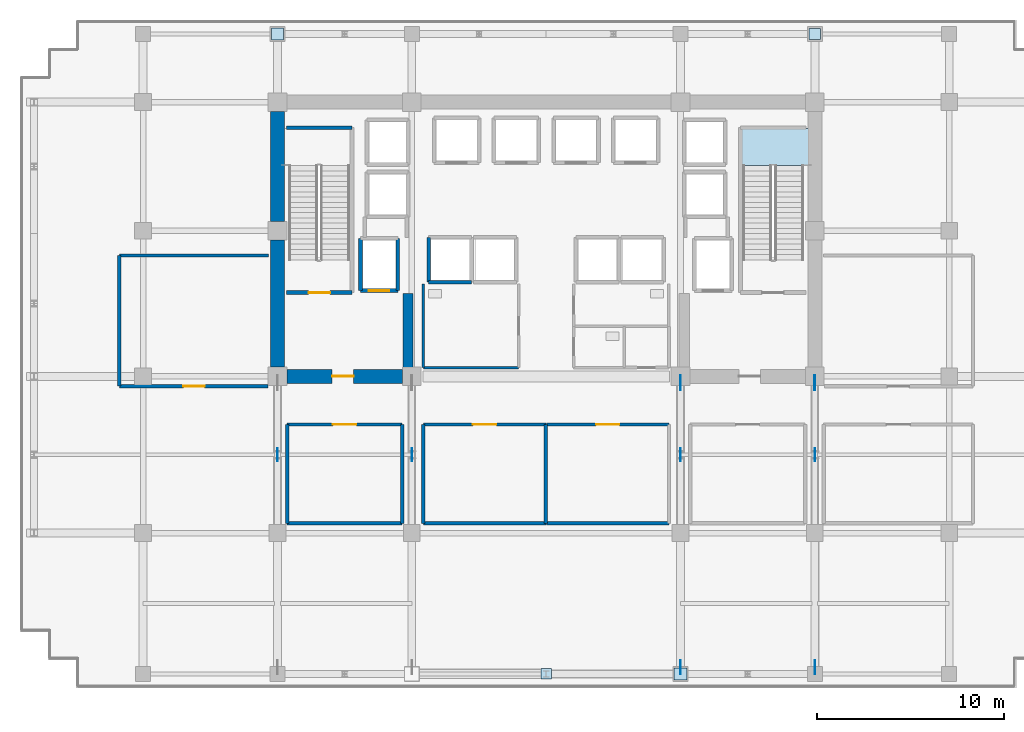
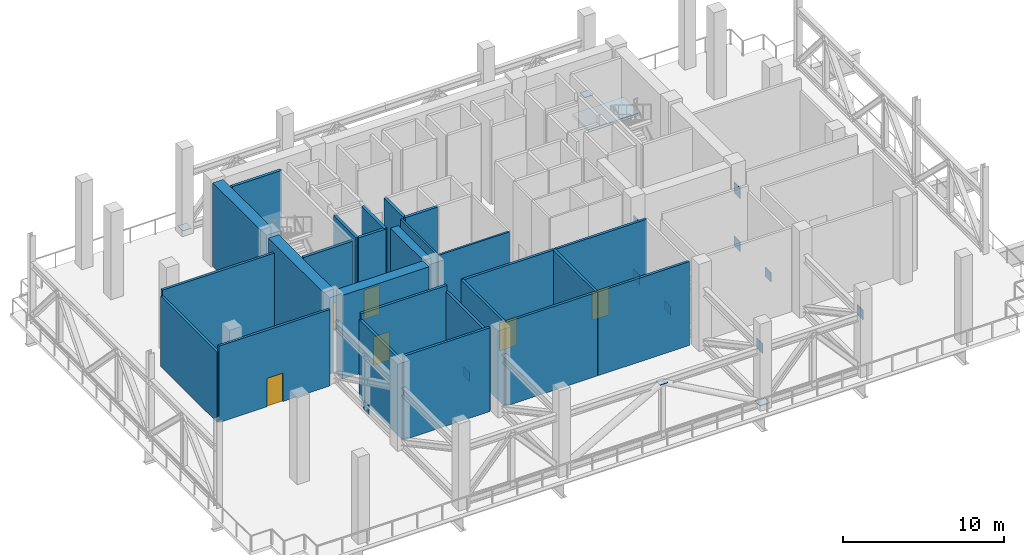
# One storey, part 7 of 15: 26 walls, 14 plates, 7 doors, 1 slab, 7 openings, 1 element without a shape of its own.
"""IFC4 building model written with IfcOpenShell, lengths in metres."""

from ifc_helpers import new_model, si_unit, direction, frame, frame_2d, origin, origin_2d, place, context, subcontext, project, spatial, polyline, rectangle, outline, extrude, source, transform, mapped, material, layer, layer_set, type_object, element, fill, aggregate, save


model = new_model("IFC4")

# Units and contexts
model_context = context("Model", 3, precision=1e-05, world=origin(), true_north=direction((0.0, 1.0)))
body_context = subcontext(model_context, "Body", "Model", "MODEL_VIEW")
ifc_project = project(units=[si_unit("LENGTHUNIT", "METRE"), si_unit("AREAUNIT", "SQUARE_METRE"), si_unit("VOLUMEUNIT", "CUBIC_METRE"), si_unit("PLANEANGLEUNIT", "RADIAN"), si_unit("MASSUNIT", "GRAM", prefix="KILO")], contexts=[model_context])

# Site, building, storey
site_placement = place(None, origin())
site = spatial("IfcSite", under=ifc_project, at=site_placement, CompositionType="ELEMENT")
building_placement = place(site_placement, origin())
building = spatial("IfcBuilding", under=site, at=building_placement, Name="Zarnakvel Exchange Tower", CompositionType="ELEMENT")
storey_placement = place(building_placement, frame((0.0, 0.0, 80.199951171875)))
storey = spatial("IfcBuildingStorey", under=building, at=storey_placement, Name="L22", CompositionType="ELEMENT", Elevation=80.199951171875)

# Stair, slab
ifc_material_1 = material(Name="Concrete C40/50", Category="concrete")
stair_type = type_object("IfcStairType", Name="STR-01", PredefinedType="HALF_TURN_STAIR", material=ifc_material_1)
stair_placement = place(storey_placement, origin())
stair = element("IfcStair", 1, at=stair_placement, inside=storey, type_object=stair_type, Name="L22 Protected Core Exit Stair ST-02", PredefinedType="HALF_TURN_STAIR")
ifc_layer_1 = layer(ifc_material_1, 0.199951171875)
ifc_layer_set_1 = layer_set([ifc_layer_1], Name="Concrete C40/50")
slab_type = type_object("IfcSlabType", Name="LDG-01", PredefinedType="LANDING", material=ifc_layer_set_1)
slab_placement = place(storey_placement, frame((0.0, 0.0, 3.10009765625)))
slab = element("IfcSlab", 2, at=slab_placement, type_object=slab_type, Name="ST-02 landing 1", PredefinedType="LANDING", context=body_context, shape_type="SweptSolid", body=[
    extrude(outline(polyline([(10.4599609375, 10.090087890625), (14.18994140625, 10.090087890625), (14.18994140625, 12.080078125), (10.4599609375, 12.080078125), (10.4599609375, 10.090087890625)])), origin(), (0.0, 0.0, 1.0), 0.199951171875),
])
aggregate(stair, [slab])

# Plates
ifc_material_2 = material(Name="Steel S460", Category="steel")
ifc_layer_2 = layer(ifc_material_2, 0.0380859375)
ifc_layer_set_2 = layer_set([ifc_layer_2], Name="Steel S460")
plate_type_1 = type_object("IfcPlateType", Name="ON1", PredefinedType="USERDEFINED", material=ifc_layer_set_2)
shared_shape_1 = source(origin(), body_context, "Body", "SweptSolid", [
    extrude(rectangle(XDim=0.0380859375, YDim=0.800048828125, at=origin_2d()), origin(), (0.0, 0.0, 1.0), 0.800048828125),
])
for number, where, z_axis, x_axis, name in (
    (3, (7.199951171875, -1.550048828125, 4.0), (0.0, 0.0, 1.0), (1.0, 0.0, 0.0), "L22 Outrigger Core Upper Gusset ON1 (8)"),
    (4, (14.39990234375, -1.550048828125, 4.0), (0.0, 0.0, 1.0), (1.0, 0.0, 0.0), "L22 Outrigger Core Upper Gusset ON1 (9)"),
):
    element("IfcPlate", number, at=place(storey_placement, frame(where, z_axis=z_axis, x_axis=x_axis)), inside=storey, type_object=plate_type_1, Name=name, ObjectType="GUSSET_PLATE", PredefinedType="USERDEFINED", context=body_context, shape_type="MappedRepresentation", body=[
        mapped(shared_shape_1, transform((0.0, 0.0, 0.0), x_axis=(1.0, 0.0, 0.0), y_axis=(0.0, 1.0, 0.0), z_axis=(0.0, 0.0, 1.0), scale=1.0)),
    ])
ifc_layer_3 = layer(ifc_material_2, 0.035888671875)
ifc_layer_set_3 = layer_set([ifc_layer_3], Name="Steel S460")
plate_type_2 = type_object("IfcPlateType", Name="ON2", PredefinedType="USERDEFINED", material=ifc_layer_set_3)
shared_shape_2 = source(origin(), body_context, "Body", "SweptSolid", [
    extrude(rectangle(XDim=0.035888671875, YDim=0.800048828125, at=origin_2d()), origin(), (0.0, 0.0, 1.0), 0.75),
])
for number, where, z_axis, x_axis, name in (
    (5, (7.199951171875, -1.550048828125, -0.02490234375), (0.0, 0.0, 1.0), (1.0, 0.0, 0.0), "L22 Outrigger Core Lower Gusset ON2 (8)"),
    (6, (14.39990234375, -1.550048828125, -0.02490234375), (0.0, 0.0, 1.0), (1.0, 0.0, 0.0), "L22 Outrigger Core Lower Gusset ON2 (9)"),
):
    element("IfcPlate", number, at=place(storey_placement, frame(where, z_axis=z_axis, x_axis=x_axis)), inside=storey, type_object=plate_type_2, Name=name, ObjectType="GUSSET_PLATE", PredefinedType="USERDEFINED", context=body_context, shape_type="MappedRepresentation", body=[
        mapped(shared_shape_2, transform((0.0, 0.0, 0.0), x_axis=(1.0, 0.0, 0.0), y_axis=(0.0, 1.0, 0.0), z_axis=(0.0, 0.0, 1.0), scale=1.0)),
    ])
ifc_layer_4 = layer(ifc_material_2, 0.034912109375)
ifc_layer_set_4 = layer_set([ifc_layer_4], Name="Steel S460")
plate_type_3 = type_object("IfcPlateType", Name="ON3", PredefinedType="USERDEFINED", material=ifc_layer_set_4)
shared_shape_3 = source(origin(), body_context, "Body", "SweptSolid", [
    extrude(rectangle(XDim=0.034912109375, YDim=0.75, at=origin_2d()), origin(), (0.0, 0.0, 1.0), 0.75),
])
for number, where, z_axis, x_axis, name in (
    (7, (7.199951171875, -16.800048828125, 4.025146484375), (0.0, 0.0, 1.0), (1.0, 0.0, 0.0), "L22 Outrigger Perimeter Gusset ON3 (8)"),
    (8, (14.39990234375, -16.800048828125, 4.025146484375), (0.0, 0.0, 1.0), (1.0, 0.0, 0.0), "L22 Outrigger Perimeter Gusset ON3 (9)"),
):
    element("IfcPlate", number, at=place(storey_placement, frame(where, z_axis=z_axis, x_axis=x_axis)), inside=storey, type_object=plate_type_3, Name=name, ObjectType="GUSSET_PLATE", PredefinedType="USERDEFINED", context=body_context, shape_type="MappedRepresentation", body=[
        mapped(shared_shape_3, transform((0.0, 0.0, 0.0), x_axis=(1.0, 0.0, 0.0), y_axis=(0.0, 1.0, 0.0), z_axis=(0.0, 0.0, 1.0), scale=1.0)),
    ])
ifc_layer_5 = layer(ifc_material_2, 0.031982421875)
ifc_layer_set_5 = layer_set([ifc_layer_5], Name="Steel S460")
plate_type_4 = type_object("IfcPlateType", Name="ON4", PredefinedType="USERDEFINED", material=ifc_layer_set_5)
shared_shape_4 = source(origin(), body_context, "Body", "SweptSolid", [
    extrude(rectangle(XDim=0.031982421875, YDim=0.699951171875, at=origin_2d()), origin(), (0.0, 0.0, 1.0), 0.699951171875),
])
for number, where, z_axis, x_axis, name in (
    (9, (-14.39990234375, -5.39990234375, 0.0), (0.0, 0.0, 1.0), (1.0, 0.0, 0.0), "L22 Outrigger Web Splice Gusset ON4 (4)"),
    (10, (-7.199951171875, -5.39990234375, 0.0), (0.0, 0.0, 1.0), (1.0, 0.0, 0.0), "L22 Outrigger Web Splice Gusset ON4 (5)"),
    (11, (7.199951171875, -5.39990234375, 0.0), (0.0, 0.0, 1.0), (1.0, 0.0, 0.0), "L22 Outrigger Web Splice Gusset ON4 (8)"),
    (12, (14.39990234375, -5.39990234375, 0.0), (0.0, 0.0, 1.0), (1.0, 0.0, 0.0), "L22 Outrigger Web Splice Gusset ON4 (9)"),
):
    element("IfcPlate", number, at=place(storey_placement, frame(where, z_axis=z_axis, x_axis=x_axis)), inside=storey, type_object=plate_type_4, Name=name, ObjectType="GUSSET_PLATE", PredefinedType="USERDEFINED", context=body_context, shape_type="MappedRepresentation", body=[
        mapped(shared_shape_4, transform((0.0, 0.0, 0.0), x_axis=(1.0, 0.0, 0.0), y_axis=(0.0, 1.0, 0.0), z_axis=(0.0, 0.0, 1.0), scale=1.0)),
    ])
ifc_material_3 = material(Name="Steel S355", Category="steel")
ifc_layer_6 = layer(ifc_material_3, 0.028076171875)
ifc_layer_set_6 = layer_set([ifc_layer_6], Name="Steel S355")
plate_type_5 = type_object("IfcPlateType", Name="BN3", PredefinedType="USERDEFINED", material=ifc_layer_set_6)
shared_shape_5 = source(origin(), body_context, "Body", "SweptSolid", [
    extrude(rectangle(XDim=0.639892578125, YDim=0.639892578125, at=origin_2d()), origin(), (0.0, 0.0, 1.0), 0.028076171875),
])
plate_1_placement = place(storey_placement, frame((-14.39990234375, 17.14990234375, 0.3359375), z_axis=(0.0, 0.0, 1.0), x_axis=(1.0, 0.0, 0.0)))
element("IfcPlate", 13, at=plate_1_placement, inside=storey, type_object=plate_type_5, Name="L22 Truss Node Gusset BN3", ObjectType="GUSSET_PLATE", PredefinedType="USERDEFINED", context=body_context, shape_type="MappedRepresentation", body=[
    mapped(shared_shape_5, transform((0.0, 0.0, 0.0), x_axis=(1.0, 0.0, 0.0), y_axis=(0.0, 1.0, 0.0), z_axis=(0.0, 0.0, 1.0), scale=1.0)),
])
ifc_layer_7 = layer(ifc_material_3, 0.02587890625)
ifc_layer_set_7 = layer_set([ifc_layer_7], Name="Steel S355")
plate_type_6 = type_object("IfcPlateType", Name="BN4", PredefinedType="USERDEFINED", material=ifc_layer_set_7)
shared_shape_6 = source(origin(), body_context, "Body", "SweptSolid", [
    extrude(rectangle(XDim=0.60009765625, YDim=0.60009765625, at=origin_2d()), origin(), (0.0, 0.0, 1.0), 0.02587890625),
])
plate_2_placement = place(storey_placement, frame((14.39990234375, 17.14990234375, 0.337158203125), z_axis=(0.0, 0.0, 1.0), x_axis=(1.0, 0.0, 0.0)))
element("IfcPlate", 14, at=plate_2_placement, inside=storey, type_object=plate_type_6, Name="L22 Truss Node Gusset BN4", ObjectType="GUSSET_PLATE", PredefinedType="USERDEFINED", context=body_context, shape_type="MappedRepresentation", body=[
    mapped(shared_shape_6, transform((0.0, 0.0, 0.0), x_axis=(1.0, 0.0, 0.0), y_axis=(0.0, 1.0, 0.0), z_axis=(0.0, 0.0, 1.0), scale=1.0)),
])
ifc_layer_8 = layer(ifc_material_3, 0.030029296875)
ifc_layer_set_8 = layer_set([ifc_layer_8], Name="Steel S355")
plate_type_7 = type_object("IfcPlateType", Name="VN2", PredefinedType="USERDEFINED", material=ifc_layer_set_8)
shared_shape_7 = source(origin(), body_context, "Body", "SweptSolid", [
    extrude(rectangle(XDim=0.699951171875, YDim=0.64990234375, at=origin_2d()), origin(), (0.0, 0.0, 1.0), 0.030029296875),
])
plate_3_placement = place(storey_placement, frame((7.199951171875, -17.14990234375, 0.3349609375), z_axis=(0.0, 0.0, 1.0), x_axis=(1.0, 0.0, 0.0)))
element("IfcPlate", 15, at=plate_3_placement, inside=storey, type_object=plate_type_7, Name="L22 Truss Node Gusset VN2", ObjectType="GUSSET_PLATE", PredefinedType="USERDEFINED", context=body_context, shape_type="MappedRepresentation", body=[
    mapped(shared_shape_7, transform((0.0, 0.0, 0.0), x_axis=(1.0, 0.0, 0.0), y_axis=(0.0, 1.0, 0.0), z_axis=(0.0, 0.0, 1.0), scale=1.0)),
])
ifc_layer_9 = layer(ifc_material_3, 0.031982421875)
ifc_layer_set_9 = layer_set([ifc_layer_9], Name="Steel S355")
plate_type_8 = type_object("IfcPlateType", Name="BP-01", PredefinedType="USERDEFINED", material=ifc_layer_set_9)
shared_shape_8 = source(origin(), body_context, "Body", "SweptSolid", [
    extrude(rectangle(XDim=0.56005859375, YDim=0.56005859375, at=origin_2d()), origin(), (0.0, 0.0, 1.0), 0.031982421875),
])
plate_4_placement = place(storey_placement, frame((0.0, -17.14990234375, 4.38427734375), z_axis=(0.0, 0.0, 1.0), x_axis=(1.0, 0.0, 0.0)))
element("IfcPlate", 16, at=plate_4_placement, inside=storey, type_object=plate_type_8, Name="L22 Tube End Cap Plate 1B", ObjectType="BASE_PLATE", PredefinedType="USERDEFINED", context=body_context, shape_type="MappedRepresentation", body=[
    mapped(shared_shape_8, transform((0.0, 0.0, 0.0), x_axis=(1.0, 0.0, 0.0), y_axis=(0.0, 1.0, 0.0), z_axis=(0.0, 0.0, 1.0), scale=1.0)),
])

# Walls
ifc_material_4 = material(Name="Concrete C60/75", Category="concrete")
ifc_layer_10 = layer(ifc_material_4, 0.75)
ifc_layer_set_10 = layer_set([ifc_layer_10], Name="Concrete C60/75")
wall_type_1 = type_object("IfcWallType", Name="CW-C3", PredefinedType="SHEAR", material=ifc_layer_set_10)
wall_1_placement = place(storey_placement, frame((-14.39990234375, -0.699951171875, 0.0), z_axis=(0.0, 0.0, 1.0), x_axis=(0.0, 1.0, 0.0)))
element("IfcWall", 17, at=wall_1_placement, inside=storey, type_object=wall_type_1, Name="L22 Rear Core Shear Wall W1 (CW-C3)", PredefinedType="SHEAR", context=body_context, shape_type="SweptSolid", body=[
    extrude(rectangle(XDim=6.800048828125, YDim=0.75, at=frame_2d((3.39990234375, 0.0))), origin(), (0.0, 0.0, 1.0), 6.35009765625),
])
wall_2_placement = place(storey_placement, frame((-14.39990234375, 7.10009765625, 0.0), z_axis=(0.0, 0.0, 1.0), x_axis=(0.0, 1.0, 0.0)))
element("IfcWall", 18, at=wall_2_placement, inside=storey, type_object=wall_type_1, Name="L22 Rear Core Shear Wall W2 (CW-C3)", PredefinedType="SHEAR", context=body_context, shape_type="SweptSolid", body=[
    extrude(rectangle(XDim=5.89990234375, YDim=0.75, at=frame_2d((2.949951171875, 0.0))), origin(), (0.0, 0.0, 1.0), 6.35009765625),
])

# Wall, opening, door
wall_3_placement = place(storey_placement, frame((-7.699951171875, -1.199951171875, 0.0), z_axis=(0.0, 0.0, 1.0), x_axis=(-1.0, 0.0, 0.0)))
wall_3 = element("IfcWall", 19, at=wall_3_placement, inside=storey, type_object=wall_type_1, Name="L22 Rear Core Shear Wall SW (CW-C3)", PredefinedType="SHEAR", context=body_context, shape_type="SweptSolid", body=[
    extrude(rectangle(XDim=6.199951171875, YDim=0.75, at=frame_2d((3.10009765625, 0.0))), origin(), (0.0, 0.0, 1.0), 6.35009765625),
])
opening_1_placement = place(wall_3_placement, frame((2.625, 0.0, 0.0)))
opening_1 = element("IfcOpeningElement", 20, at=opening_1_placement, cuts=wall_3, Name="Opening D-L22-03", PredefinedType="OPENING", context=body_context, shape_type="SweptSolid", body=[
    extrude(rectangle(XDim=1.14990234375, YDim=2.14990234375, at=frame_2d((0.574951171875, 1.074951171875))), frame((0.0, 0.385009765625, 0.0), z_axis=(0.0, -1.0, 0.0), x_axis=(1.0, 0.0, 0.0)), (0.0, 0.0, 1.0), 0.77001953125),
])
ifc_material_5 = material(Name="Painted Galvanised Steel S355", Category="steel")
door_type_1 = type_object("IfcDoorType", Name="DT-04", OperationType="NOTDEFINED", PredefinedType="DOOR", material=ifc_material_5)
shared_shape_9 = source(origin(), body_context, "Body", "SweptSolid", [
    extrude(rectangle(XDim=1.14990234375, YDim=2.14990234375, at=frame_2d((0.574951171875, 1.074951171875))), frame((0.0, 0.02490234375, 0.0), z_axis=(0.0, -1.0, 0.0), x_axis=(1.0, 0.0, 0.0)), (0.0, 0.0, 1.0), 0.050048828125),
])
door_1_placement = place(opening_1_placement, origin())
door_1 = element("IfcDoor", 21, at=door_1_placement, inside=storey, type_object=door_type_1, Name="L22 Firefighting Lobby West Door D-L22-03", OperationType="SINGLE_SWING_LEFT", OverallHeight=2.14990234375, OverallWidth=1.14990234375, PredefinedType="DOOR", context=body_context, shape_type="MappedRepresentation", body=[
    mapped(shared_shape_9, transform((0.0, 0.0, 0.0), x_axis=(1.0, 0.0, 0.0), y_axis=(0.0, 1.0, 0.0), z_axis=(0.0, 0.0, 1.0), scale=1.0)),
])
fill(opening_1, door_1)

# Wall
ifc_layer_11 = layer(ifc_material_4, 0.550048828125)
ifc_layer_set_11 = layer_set([ifc_layer_11], Name="Concrete C60/75")
wall_type_2 = type_object("IfcWallType", Name="CW-C4", PredefinedType="SHEAR", material=ifc_layer_set_11)
wall_4_placement = place(storey_placement, frame((-7.39990234375, -0.824951171875, 0.0), z_axis=(0.0, 0.0, 1.0), x_axis=(0.0, 1.0, 0.0)))
element("IfcWall", 22, at=wall_4_placement, inside=storey, type_object=wall_type_2, Name="L22 Rear Core Shear Wall IW (CW-C4)", PredefinedType="SHEAR", context=body_context, shape_type="SweptSolid", body=[
    extrude(rectangle(XDim=4.074951171875, YDim=0.550048828125, at=frame_2d((2.03759765625, 0.0))), origin(), (0.0, 0.0, 1.0), 6.35009765625),
])

# Wall, opening, door
ifc_material_6 = material(Name="Fire-Rated Gypsum Stud Partition", Category="gypsum")
ifc_layer_12 = layer(ifc_material_6, 0.179931640625)
ifc_layer_set_12 = layer_set([ifc_layer_12], Name="Fire-Rated Gypsum Stud Partition")
wall_type_3 = type_object("IfcWallType", Name="PT-02", PredefinedType="PARTITIONING", material=ifc_layer_set_12)
wall_5_placement = place(storey_placement, frame((-14.919921875, -1.719970703125, 0.0), z_axis=(0.0, 0.0, 1.0), x_axis=(-1.0, 0.0, 0.0)))
wall_5 = element("IfcWall", 23, at=wall_5_placement, inside=storey, type_object=wall_type_3, Name="L22 Partition Wall PWALL-L22-022 (PT-02)", PredefinedType="PARTITIONING", context=body_context, shape_type="SweptSolid", body=[
    extrude(rectangle(XDim=7.9599609375, YDim=0.179931640625, at=frame_2d((3.97998046875, 0.0))), origin(), (0.0, 0.0, 1.0), 5.7900390625),
])
opening_2_placement = place(wall_5_placement, frame((3.3798828125, 0.0, 0.0)))
opening_2 = element("IfcOpeningElement", 24, at=opening_2_placement, cuts=wall_5, Name="Opening D-L22-09", PredefinedType="OPENING", context=body_context, shape_type="SweptSolid", body=[
    extrude(rectangle(XDim=1.14990234375, YDim=2.14990234375, at=frame_2d((0.574951171875, 1.074951171875))), frame((0.0, 0.099853515625, 0.0), z_axis=(0.0, -1.0, 0.0), x_axis=(1.0, 0.0, 0.0)), (0.0, 0.0, 1.0), 0.199951171875),
])
door_2_placement = place(opening_2_placement, origin())
door_2 = element("IfcDoor", 25, at=door_2_placement, inside=storey, type_object=door_type_1, Name="L22 L22 Protected Refuge Area West Door D-L22-09", OperationType="SINGLE_SWING_LEFT", OverallHeight=2.14990234375, OverallWidth=1.14990234375, PredefinedType="DOOR", context=body_context, shape_type="MappedRepresentation", body=[
    mapped(shared_shape_9, transform((0.0, 0.0, 0.0), x_axis=(1.0, 0.0, 0.0), y_axis=(0.0, 1.0, 0.0), z_axis=(0.0, 0.0, 1.0), scale=1.0)),
])
fill(opening_2, door_2)

# Walls
wall_6_placement = place(storey_placement, frame((-22.8798828125, 5.280029296875, 0.0), z_axis=(0.0, 0.0, 1.0), x_axis=(1.0, 0.0, 0.0)))
element("IfcWall", 26, at=wall_6_placement, inside=storey, type_object=wall_type_3, Name="L22 Partition Wall PWALL-L22-023 (PT-02)", PredefinedType="PARTITIONING", context=body_context, shape_type="SweptSolid", body=[
    extrude(rectangle(XDim=8.009765625, YDim=0.179931640625, at=frame_2d((4.0048828125, 0.0))), origin(), (0.0, 0.0, 1.0), 5.7900390625),
])
wall_7_placement = place(storey_placement, frame((-22.8798828125, -1.719970703125, 0.0), z_axis=(0.0, 0.0, 1.0), x_axis=(0.0, 1.0, 0.0)))
element("IfcWall", 27, at=wall_7_placement, inside=storey, type_object=wall_type_3, Name="L22 Partition Wall PWALL-L22-024 (PT-02)", PredefinedType="PARTITIONING", context=body_context, shape_type="SweptSolid", body=[
    extrude(rectangle(XDim=7.0, YDim=0.179931640625, at=frame_2d((3.5, 0.0))), origin(), (0.0, 0.0, 1.0), 5.33203125),
])
wall_8_placement = place(storey_placement, frame((-0.02001953125, -9.080078125, 0.0), z_axis=(0.0, 0.0, 1.0), x_axis=(-1.0, 0.0, 0.0)))
element("IfcWall", 28, at=wall_8_placement, inside=storey, type_object=wall_type_3, Name="L22 Partition Wall PWALL-L22-028 (PT-02)", PredefinedType="PARTITIONING", context=body_context, shape_type="SweptSolid", body=[
    extrude(rectangle(XDim=6.56005859375, YDim=0.179931640625, at=frame_2d((3.280029296875, 0.0))), origin(), (0.0, 0.0, 1.0), 6.35009765625),
])

# Wall, opening, door
wall_9_placement = place(storey_placement, frame((-6.580078125, -3.780029296875, 0.0), z_axis=(0.0, 0.0, 1.0), x_axis=(1.0, 0.0, 0.0)))
wall_9 = element("IfcWall", 29, at=wall_9_placement, inside=storey, type_object=wall_type_3, Name="L22 Partition Wall PWALL-L22-029 (PT-02)", PredefinedType="PARTITIONING", context=body_context, shape_type="SweptSolid", body=[
    extrude(rectangle(XDim=6.56005859375, YDim=0.179931640625, at=frame_2d((3.280029296875, 0.0))), origin(), (0.0, 0.0, 1.0), 6.35009765625),
])
opening_3_placement = place(wall_9_placement, frame((2.655029296875, 0.0, 0.0)))
opening_3 = element("IfcOpeningElement", 30, at=opening_3_placement, cuts=wall_9, Name="Opening D-L22-11", PredefinedType="OPENING", context=body_context, shape_type="SweptSolid", body=[
    extrude(rectangle(XDim=1.25, YDim=2.14990234375, at=frame_2d((0.625, 1.074951171875))), frame((0.0, 0.099853515625, 0.0), z_axis=(0.0, -1.0, 0.0), x_axis=(1.0, 0.0, 0.0)), (0.0, 0.0, 1.0), 0.199951171875),
])
door_type_2 = type_object("IfcDoorType", Name="DT-06", OperationType="NOTDEFINED", PredefinedType="DOOR", material=ifc_material_5)
shared_shape_10 = source(origin(), body_context, "Body", "SweptSolid", [
    extrude(rectangle(XDim=1.25, YDim=2.14990234375, at=frame_2d((0.625, 1.074951171875))), frame((0.0, 0.02490234375, 0.0), z_axis=(0.0, -1.0, 0.0), x_axis=(1.0, 0.0, 0.0)), (0.0, 0.0, 1.0), 0.050048828125),
])
door_3_placement = place(opening_3_placement, origin())
door_3 = element("IfcDoor", 31, at=door_3_placement, inside=storey, type_object=door_type_2, Name="L22 L22 Chiller Heat-Exchanger Plant Room Door D-L22-11", OperationType="SINGLE_SWING_LEFT", OverallHeight=2.14990234375, OverallWidth=1.25, PredefinedType="DOOR", context=body_context, shape_type="MappedRepresentation", body=[
    mapped(shared_shape_10, transform((0.0, 0.0, 0.0), x_axis=(1.0, 0.0, 0.0), y_axis=(0.0, 1.0, 0.0), z_axis=(0.0, 0.0, 1.0), scale=1.0)),
])
fill(opening_3, door_3)

# Walls
for number, where, z_axis, x_axis, name in (
    (32, (-6.580078125, -9.080078125, 0.0), (0.0, 0.0, 1.0), (0.0, 1.0, 0.0), "L22 Partition Wall PWALL-L22-030 (PT-02)"),
    (33, (-0.02001953125, -3.780029296875, 0.0), (0.0, 0.0, 1.0), (0.0, -1.0, 0.0), "L22 Partition Wall PWALL-L22-031 (PT-02)"),
):
    element("IfcWall", number, at=place(storey_placement, frame(where, z_axis=z_axis, x_axis=x_axis)), inside=storey, type_object=wall_type_3, Name=name, PredefinedType="PARTITIONING", context=body_context, shape_type="SweptSolid", body=[
        extrude(rectangle(XDim=5.300048828125, YDim=0.179931640625, at=frame_2d((2.64990234375, 0.0))), origin(), (0.0, 0.0, 1.0), 6.35009765625),
    ])
wall_10_placement = place(storey_placement, frame((6.580078125, -9.080078125, 0.0), z_axis=(0.0, 0.0, 1.0), x_axis=(-1.0, 0.0, 0.0)))
element("IfcWall", 34, at=wall_10_placement, inside=storey, type_object=wall_type_3, Name="L22 Partition Wall PWALL-L22-032 (PT-02)", PredefinedType="PARTITIONING", context=body_context, shape_type="SweptSolid", body=[
    extrude(rectangle(XDim=6.56005859375, YDim=0.179931640625, at=frame_2d((3.280029296875, 0.0))), origin(), (0.0, 0.0, 1.0), 6.35009765625),
])

# Wall, opening, door
wall_11_placement = place(storey_placement, frame((0.02001953125, -3.780029296875, 0.0), z_axis=(0.0, 0.0, 1.0), x_axis=(1.0, 0.0, 0.0)))
wall_11 = element("IfcWall", 35, at=wall_11_placement, inside=storey, type_object=wall_type_3, Name="L22 Partition Wall PWALL-L22-033 (PT-02)", PredefinedType="PARTITIONING", context=body_context, shape_type="SweptSolid", body=[
    extrude(rectangle(XDim=6.56005859375, YDim=0.179931640625, at=frame_2d((3.280029296875, 0.0))), origin(), (0.0, 0.0, 1.0), 6.35009765625),
])
opening_4_placement = place(wall_11_placement, frame((2.655029296875, 0.0, 0.0)))
opening_4 = element("IfcOpeningElement", 36, at=opening_4_placement, cuts=wall_11, Name="Opening D-L22-12", PredefinedType="OPENING", context=body_context, shape_type="SweptSolid", body=[
    extrude(rectangle(XDim=1.25, YDim=2.14990234375, at=frame_2d((0.625, 1.074951171875))), frame((0.0, 0.099853515625, 0.0), z_axis=(0.0, -1.0, 0.0), x_axis=(1.0, 0.0, 0.0)), (0.0, 0.0, 1.0), 0.199951171875),
])
door_4_placement = place(opening_4_placement, origin())
door_4 = element("IfcDoor", 37, at=door_4_placement, inside=storey, type_object=door_type_2, Name="L22 L22 AHU Supply Fan Plant Room Door D-L22-12", OperationType="SINGLE_SWING_RIGHT", OverallHeight=2.14990234375, OverallWidth=1.25, PredefinedType="DOOR", context=body_context, shape_type="MappedRepresentation", body=[
    mapped(shared_shape_10, transform((0.0, 0.0, 0.0), x_axis=(1.0, 0.0, 0.0), y_axis=(0.0, 1.0, 0.0), z_axis=(0.0, 0.0, 1.0), scale=1.0)),
])
fill(opening_4, door_4)

# Wall
wall_12_placement = place(storey_placement, frame((-7.719970703125, -9.080078125, 0.0), z_axis=(0.0, 0.0, 1.0), x_axis=(-1.0, 0.0, 0.0)))
element("IfcWall", 38, at=wall_12_placement, inside=storey, type_object=wall_type_3, Name="L22 Partition Wall PWALL-L22-035 (PT-02)", PredefinedType="PARTITIONING", context=body_context, shape_type="SweptSolid", body=[
    extrude(rectangle(XDim=6.159912109375, YDim=0.179931640625, at=frame_2d((3.080078125, 0.0))), origin(), (0.0, 0.0, 1.0), 6.35009765625),
])

# Wall, opening, door
wall_13_placement = place(storey_placement, frame((-13.8798828125, -3.780029296875, 0.0), z_axis=(0.0, 0.0, 1.0), x_axis=(1.0, 0.0, 0.0)))
wall_13 = element("IfcWall", 39, at=wall_13_placement, inside=storey, type_object=wall_type_3, Name="L22 Partition Wall PWALL-L22-036 (PT-02)", PredefinedType="PARTITIONING", context=body_context, shape_type="SweptSolid", body=[
    extrude(rectangle(XDim=6.159912109375, YDim=0.179931640625, at=frame_2d((3.080078125, 0.0))), origin(), (0.0, 0.0, 1.0), 6.35009765625),
])
opening_5_placement = place(wall_13_placement, frame((2.455078125, 0.0, 0.0)))
opening_5 = element("IfcOpeningElement", 40, at=opening_5_placement, cuts=wall_13, Name="Opening D-L22-13", PredefinedType="OPENING", context=body_context, shape_type="SweptSolid", body=[
    extrude(rectangle(XDim=1.25, YDim=2.14990234375, at=frame_2d((0.625, 1.074951171875))), frame((0.0, 0.099853515625, 0.0), z_axis=(0.0, -1.0, 0.0), x_axis=(1.0, 0.0, 0.0)), (0.0, 0.0, 1.0), 0.199951171875),
])
door_5_placement = place(opening_5_placement, origin())
door_5 = element("IfcDoor", 41, at=door_5_placement, inside=storey, type_object=door_type_2, Name="L22 L22 Fire Transfer Pump Plant Room Door D-L22-13", OperationType="SINGLE_SWING_LEFT", OverallHeight=2.14990234375, OverallWidth=1.25, PredefinedType="DOOR", context=body_context, shape_type="MappedRepresentation", body=[
    mapped(shared_shape_10, transform((0.0, 0.0, 0.0), x_axis=(1.0, 0.0, 0.0), y_axis=(0.0, 1.0, 0.0), z_axis=(0.0, 0.0, 1.0), scale=1.0)),
])
fill(opening_5, door_5)

# Walls
for number, where, z_axis, x_axis, name in (
    (42, (-13.8798828125, -9.080078125, 0.0), (0.0, 0.0, 1.0), (0.0, 1.0, 0.0), "L22 Partition Wall PWALL-L22-037 (PT-02)"),
    (43, (-7.719970703125, -3.780029296875, 0.0), (0.0, 0.0, 1.0), (0.0, -1.0, 0.0), "L22 Partition Wall PWALL-L22-038 (PT-02)"),
):
    element("IfcWall", number, at=place(storey_placement, frame(where, z_axis=z_axis, x_axis=x_axis)), inside=storey, type_object=wall_type_3, Name=name, PredefinedType="PARTITIONING", context=body_context, shape_type="SweptSolid", body=[
        extrude(rectangle(XDim=5.300048828125, YDim=0.179931640625, at=frame_2d((2.64990234375, 0.0))), origin(), (0.0, 0.0, 1.0), 5.89013671875),
    ])
ifc_material_7 = material(Name="Moisture-Resistant Tile-Faced Partition", Category="gypsum")
ifc_layer_13 = layer(ifc_material_7, 0.135009765625)
ifc_layer_set_13 = layer_set([ifc_layer_13], Name="Moisture-Resistant Tile-Faced Partition")
wall_type_4 = type_object("IfcWallType", Name="PT-03", PredefinedType="PARTITIONING", material=ifc_layer_set_13)
wall_14_placement = place(storey_placement, frame((-1.469970703125, -0.72998046875, 0.0), z_axis=(0.0, 0.0, 1.0), x_axis=(-1.0, 0.0, 0.0)))
element("IfcWall", 44, at=wall_14_placement, inside=storey, type_object=wall_type_4, Name="L22 Partition Wall PWALL-L22-011 (PT-03)", PredefinedType="PARTITIONING", context=body_context, shape_type="SweptSolid", body=[
    extrude(rectangle(XDim=5.110107421875, YDim=0.135009765625, at=frame_2d((2.55517578125, 0.0))), origin(), (0.0, 0.0, 1.0), 6.35009765625),
])
wall_15_placement = place(storey_placement, frame((-6.580078125, -0.72998046875, 0.0), z_axis=(0.0, 0.0, 1.0), x_axis=(0.0, 1.0, 0.0)))
element("IfcWall", 45, at=wall_15_placement, inside=storey, type_object=wall_type_4, Name="L22 Partition Wall PWALL-L22-012 (PT-03)", PredefinedType="PARTITIONING", context=body_context, shape_type="SweptSolid", body=[
    extrude(rectangle(XDim=4.489990234375, YDim=0.135009765625, at=frame_2d((2.2451171875, 0.0))), origin(), (0.0, 0.0, 1.0), 6.35009765625),
])

# Wall, opening, door
ifc_layer_14 = layer(ifc_material_1, 0.199951171875)
ifc_layer_set_14 = layer_set([ifc_layer_14], Name="Concrete C40/50")
wall_type_5 = type_object("IfcWallType", Name="SW-01", PredefinedType="SOLIDWALL", material=ifc_layer_set_14)
wall_16_placement = place(storey_placement, frame((-7.949951171875, 3.39990234375, 0.0), z_axis=(0.0, 0.0, 1.0), x_axis=(-1.0, 0.0, 0.0)))
wall_16 = element("IfcWall", 46, at=wall_16_placement, inside=storey, type_object=wall_type_5, Name="L22 FL-01 Hoistway Wall South", PredefinedType="SOLIDWALL", context=body_context, shape_type="SweptSolid", body=[
    extrude(rectangle(XDim=2.0, YDim=0.199951171875, at=frame_2d((1.0, 0.0))), origin(), (0.0, 0.0, 1.0), 6.35009765625),
])
opening_6_placement = place(wall_16_placement, frame((0.449951171875, 0.0, 0.0)))
opening_6 = element("IfcOpeningElement", 47, at=opening_6_placement, cuts=wall_16, Name="Opening LD-FL-01-L22", PredefinedType="OPENING", context=body_context, shape_type="SweptSolid", body=[
    extrude(rectangle(XDim=1.10009765625, YDim=2.199951171875, at=frame_2d((0.550048828125, 1.10009765625))), frame((0.0, 0.10986328125, 0.0), z_axis=(0.0, -1.0, 0.0), x_axis=(1.0, 0.0, 0.0)), (0.0, 0.0, 1.0), 0.219970703125),
])
ifc_material_8 = material(Name="Brushed Stainless Steel", Category="steel")
door_type_3 = type_object("IfcDoorType", Name="LDT-01", OperationType="NOTDEFINED", PredefinedType="DOOR", material=ifc_material_8)
shared_shape_11 = source(origin(), body_context, "Body", "SweptSolid", [
    extrude(rectangle(XDim=1.10009765625, YDim=2.199951171875, at=frame_2d((0.550048828125, 1.10009765625))), frame((0.0, 0.02490234375, 0.0), z_axis=(0.0, -1.0, 0.0), x_axis=(1.0, 0.0, 0.0)), (0.0, 0.0, 1.0), 0.050048828125),
])
door_6_placement = place(opening_6_placement, origin())
door_6 = element("IfcDoor", 48, at=door_6_placement, inside=storey, type_object=door_type_3, Name="L22 FL-01 Lift Landing Door LD-FL-01-L22", OperationType="DOUBLE_DOOR_SLIDING", OverallHeight=2.199951171875, OverallWidth=1.10009765625, PredefinedType="DOOR", context=body_context, shape_type="MappedRepresentation", body=[
    mapped(shared_shape_11, transform((0.0, 0.0, 0.0), x_axis=(1.0, 0.0, 0.0), y_axis=(0.0, 1.0, 0.0), z_axis=(0.0, 0.0, 1.0), scale=1.0)),
])
fill(opening_6, door_6)

# Walls
for number, where, z_axis, x_axis, name in (
    (49, (-9.949951171875, 3.39990234375, 0.0), (0.0, 0.0, 1.0), (0.0, 1.0, 0.0), "L22 FL-01 Hoistway Wall West"),
    (50, (-7.949951171875, 6.199951171875, 0.0), (0.0, 0.0, 1.0), (0.0, -1.0, 0.0), "L22 FL-01 Hoistway Wall East"),
):
    element("IfcWall", number, at=place(storey_placement, frame(where, z_axis=z_axis, x_axis=x_axis)), inside=storey, type_object=wall_type_5, Name=name, PredefinedType="SOLIDWALL", context=body_context, shape_type="SweptSolid", body=[
        extrude(rectangle(XDim=2.800048828125, YDim=0.199951171875, at=frame_2d((1.39990234375, 0.0))), origin(), (0.0, 0.0, 1.0), 6.35009765625),
    ])
wall_17_placement = place(storey_placement, frame((-4.0, 3.85009765625, 0.0), z_axis=(0.0, 0.0, 1.0), x_axis=(-1.0, 0.0, 0.0)))
element("IfcWall", 51, at=wall_17_placement, inside=storey, type_object=wall_type_5, Name="L22 PL-05 Hoistway Wall South", PredefinedType="SOLIDWALL", context=body_context, shape_type="SweptSolid", body=[
    extrude(rectangle(XDim=2.300048828125, YDim=0.199951171875, at=frame_2d((1.14990234375, 0.0))), origin(), (0.0, 0.0, 1.0), 6.35009765625),
])
wall_18_placement = place(storey_placement, frame((-6.300048828125, 3.85009765625, 0.0), z_axis=(0.0, 0.0, 1.0), x_axis=(0.0, 1.0, 0.0)))
element("IfcWall", 52, at=wall_18_placement, inside=storey, type_object=wall_type_5, Name="L22 PL-05 Hoistway Wall West", PredefinedType="SOLIDWALL", context=body_context, shape_type="SweptSolid", body=[
    extrude(rectangle(XDim=2.39990234375, YDim=0.199951171875, at=frame_2d((1.199951171875, 0.0))), origin(), (0.0, 0.0, 1.0), 6.35009765625),
])

# Wall, opening, door
ifc_layer_15 = layer(ifc_material_1, 0.199951171875)
ifc_layer_set_15 = layer_set([ifc_layer_15], Name="Concrete C40/50")
wall_type_6 = type_object("IfcWallType", Name="SW-02", PredefinedType="SOLIDWALL", material=ifc_layer_set_15)
wall_19_placement = place(storey_placement, frame((-10.409912109375, 3.2900390625, 0.0), z_axis=(0.0, 0.0, 1.0), x_axis=(-1.0, 0.0, 0.0)))
wall_19 = element("IfcWall", 53, at=wall_19_placement, inside=storey, type_object=wall_type_6, Name="L22 Stairwell Core Wall PWALL-L22-001 (SW-02)", PredefinedType="SOLIDWALL", context=body_context, shape_type="SweptSolid", body=[
    extrude(rectangle(XDim=3.52001953125, YDim=0.199951171875, at=frame_2d((1.760009765625, 0.0))), origin(), (0.0, 0.0, 1.0), 6.35009765625),
])
opening_7_placement = place(wall_19_placement, frame((1.1650390625, 0.0, 0.0)))
opening_7 = element("IfcOpeningElement", 54, at=opening_7_placement, cuts=wall_19, Name="Opening D-L22-01", PredefinedType="OPENING", context=body_context, shape_type="SweptSolid", body=[
    extrude(rectangle(XDim=1.14990234375, YDim=2.14990234375, at=frame_2d((0.574951171875, 1.074951171875))), frame((0.0, 0.10986328125, 0.0), z_axis=(0.0, -1.0, 0.0), x_axis=(1.0, 0.0, 0.0)), (0.0, 0.0, 1.0), 0.219970703125),
])
door_7_placement = place(opening_7_placement, origin())
door_7 = element("IfcDoor", 55, at=door_7_placement, inside=storey, type_object=door_type_1, Name="L22 Stairwell ST-01 Door D-L22-01", OperationType="SINGLE_SWING_LEFT", OverallHeight=2.14990234375, OverallWidth=1.14990234375, PredefinedType="DOOR", context=body_context, shape_type="MappedRepresentation", body=[
    mapped(shared_shape_9, transform((0.0, 0.0, 0.0), x_axis=(1.0, 0.0, 0.0), y_axis=(0.0, 1.0, 0.0), z_axis=(0.0, 0.0, 1.0), scale=1.0)),
])
fill(opening_7, door_7)

# Wall
wall_20_placement = place(storey_placement, frame((-13.929931640625, 12.1298828125, 0.0), z_axis=(0.0, 0.0, 1.0), x_axis=(1.0, 0.0, 0.0)))
element("IfcWall", 56, at=wall_20_placement, inside=storey, type_object=wall_type_6, Name="L22 Stairwell Core Wall PWALL-L22-002 (SW-02)", PredefinedType="SOLIDWALL", context=body_context, shape_type="SweptSolid", body=[
    extrude(rectangle(XDim=3.52001953125, YDim=0.199951171875, at=frame_2d((1.760009765625, 0.0))), origin(), (0.0, 0.0, 1.0), 6.35009765625),
])

save(model, "model.ifc")
